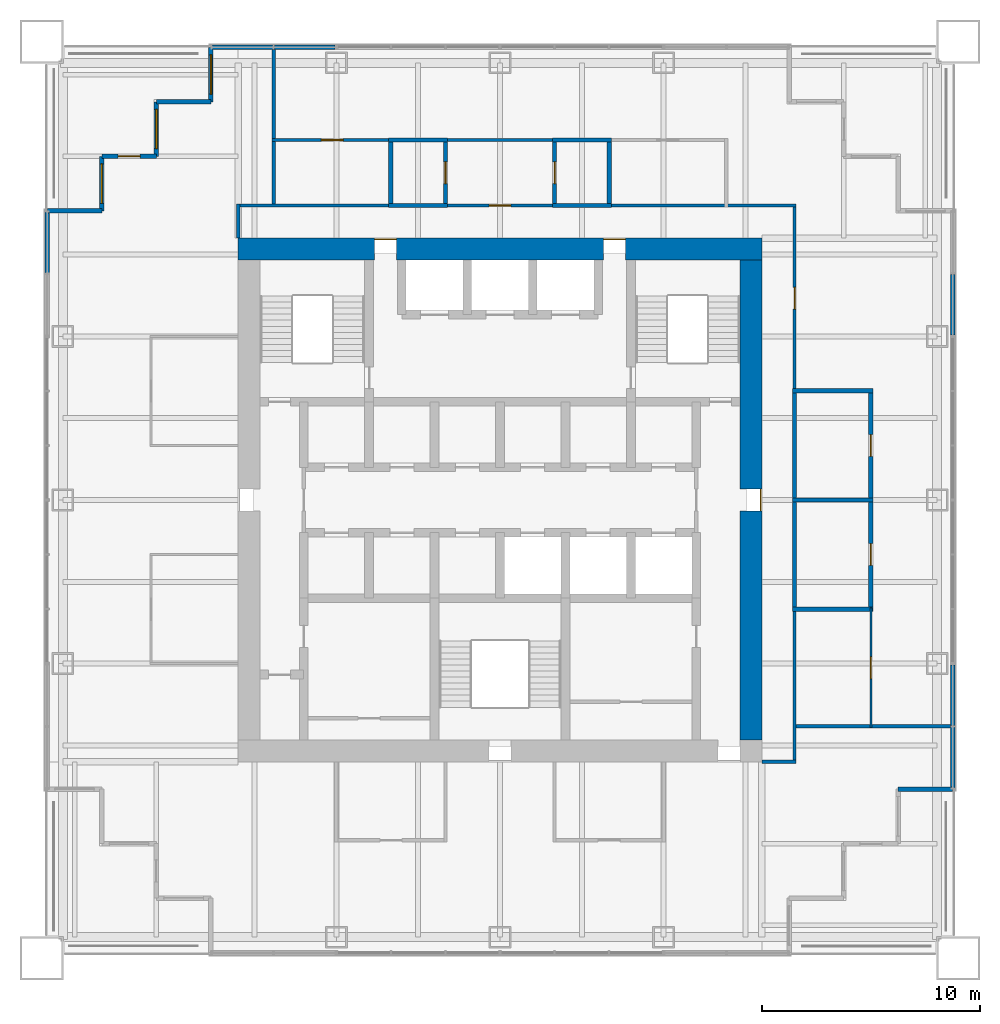
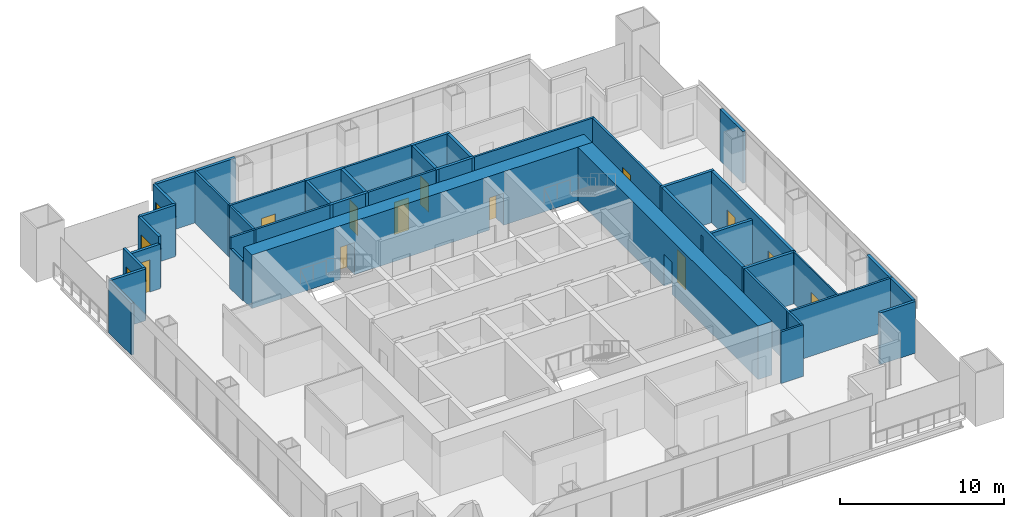
# One storey, part 11 of 14: 40 walls, 12 doors, 3 windows, 15 openings.
"""IFC4 building model written with IfcOpenShell, lengths in metres."""

from ifc_helpers import new_model, si_unit, direction, frame, frame_2d, origin, place, context, subcontext, project, spatial, rectangle, extrude, material, layer, layer_set, type_object, element, fill, save


model = new_model("IFC4")

# Units and contexts
model_context = context("Model", 3, precision=1e-05, world=origin(), true_north=direction((0.0, 1.0)))
body_context = subcontext(model_context, "Body", "Model", "MODEL_VIEW")
ifc_project = project(units=[si_unit("LENGTHUNIT", "METRE"), si_unit("AREAUNIT", "SQUARE_METRE"), si_unit("VOLUMEUNIT", "CUBIC_METRE"), si_unit("PLANEANGLEUNIT", "RADIAN"), si_unit("MASSUNIT", "GRAM", prefix="KILO")], contexts=[model_context])

# Site, building, storey
site_placement = place(None, origin())
site = spatial("IfcSite", under=ifc_project, at=site_placement, CompositionType="ELEMENT")
building_placement = place(site_placement, origin())
building = spatial("IfcBuilding", under=site, at=building_placement, Name="Tarangal Relay Tower", CompositionType="ELEMENT")
storey_placement = place(building_placement, frame((0.0, 0.0, 323.89990234375)))
storey = spatial("IfcBuildingStorey", under=building, at=storey_placement, Name="L72", CompositionType="ELEMENT", Elevation=323.89990234375)

# Walls
ifc_material_1 = material(Name="Two layers gypsum board each side on twin steel studs, mineral wool", Category="steel")
ifc_layer_1 = layer(ifc_material_1, 0.199951171875)
ifc_layer_set_1 = layer_set([ifc_layer_1], Name="Acoustic partition 200")
wall_type_1 = type_object("IfcWallType", Name="Acoustic partition 200", PredefinedType="PARTITIONING", material=ifc_layer_set_1)
wall_1_placement = place(storey_placement, frame((13.39990234375, -5.0, 0.0), z_axis=(0.0, 0.0, 1.0), x_axis=(1.0, 0.0, 0.0)))
element("IfcWall", 1, at=wall_1_placement, inside=storey, type_object=wall_type_1, Name="Partition PT2 L72", PredefinedType="PARTITIONING", context=body_context, shape_type="SweptSolid", body=[
    extrude(rectangle(XDim=3.7001953125, YDim=0.199951171875, at=frame_2d((1.85009765625, 0.0))), origin(), (0.0, 0.0, 1.0), 3.85009765625),
])
wall_2_placement = place(storey_placement, frame((13.39990234375, 0.0, 0.0), z_axis=(0.0, 0.0, 1.0), x_axis=(1.0, 0.0, 0.0)))
element("IfcWall", 2, at=wall_2_placement, inside=storey, type_object=wall_type_1, Name="Partition PT2 L72", PredefinedType="PARTITIONING", context=body_context, shape_type="SweptSolid", body=[
    extrude(rectangle(XDim=3.7001953125, YDim=0.199951171875, at=frame_2d((1.85009765625, 0.0))), origin(), (0.0, 0.0, 1.0), 3.2431640625),
])
wall_3_placement = place(storey_placement, frame((13.39990234375, 5.0, 0.0), z_axis=(0.0, 0.0, 1.0), x_axis=(1.0, 0.0, 0.0)))
element("IfcWall", 3, at=wall_3_placement, inside=storey, type_object=wall_type_1, Name="Partition PT2 L72", PredefinedType="PARTITIONING", context=body_context, shape_type="SweptSolid", body=[
    extrude(rectangle(XDim=3.7001953125, YDim=0.199951171875, at=frame_2d((1.85009765625, 0.0))), origin(), (0.0, 0.0, 1.0), 3.85009765625),
])
for number, where, z_axis, x_axis, name in (
    (4, (-5.10009765625, 13.5, 0.0), (0.0, 0.0, 1.0), (1.0, 0.0, 0.0), "Partition PT2 L72"),
    (5, (2.39990234375, 13.5, 0.0), (0.0, 0.0, 1.0), (1.0, 0.0, 0.0), "Partition PT2 L72"),
    (6, (-5.10009765625, 16.5, 0.0), (0.0, 0.0, 1.0), (1.0, 0.0, 0.0), "Partition PT2 L72"),
    (7, (2.39990234375, 16.5, 0.0), (0.0, 0.0, 1.0), (1.0, 0.0, 0.0), "Partition PT2 L72"),
):
    element("IfcWall", number, at=place(storey_placement, frame(where, z_axis=z_axis, x_axis=x_axis)), inside=storey, type_object=wall_type_1, Name=name, PredefinedType="PARTITIONING", context=body_context, shape_type="SweptSolid", body=[
        extrude(rectangle(XDim=2.7001953125, YDim=0.199951171875, at=frame_2d((1.35009765625, 0.0))), origin(), (0.0, 0.0, 1.0), 3.85009765625),
    ])
wall_4_placement = place(storey_placement, frame((-5.0, 13.39990234375, 0.0), z_axis=(0.0, 0.0, 1.0), x_axis=(0.0, 1.0, 0.0)))
element("IfcWall", 8, at=wall_4_placement, inside=storey, type_object=wall_type_1, Name="Partition PT2 L72", PredefinedType="PARTITIONING", context=body_context, shape_type="SweptSolid", body=[
    extrude(rectangle(XDim=3.2001953125, YDim=0.199951171875, at=frame_2d((1.60009765625, 0.0))), origin(), (0.0, 0.0, 1.0), 3.85009765625),
])

# Wall, opening, door
wall_5_placement = place(storey_placement, frame((-2.5, 13.39990234375, 0.0), z_axis=(0.0, 0.0, 1.0), x_axis=(0.0, 1.0, 0.0)))
wall_5 = element("IfcWall", 9, at=wall_5_placement, inside=storey, type_object=wall_type_1, Name="Partition PT2 L72", PredefinedType="PARTITIONING", context=body_context, shape_type="SweptSolid", body=[
    extrude(rectangle(XDim=3.2001953125, YDim=0.199951171875, at=frame_2d((1.60009765625, 0.0))), origin(), (0.0, 0.0, 1.0), 3.85009765625),
])
opening_1_placement = place(wall_5_placement, frame((1.10009765625, 0.0, 0.0)))
opening_1 = element("IfcOpeningElement", 10, at=opening_1_placement, cuts=wall_5, Name="Opening D2", PredefinedType="OPENING", context=body_context, shape_type="SweptSolid", body=[
    extrude(rectangle(XDim=1.0, YDim=2.10009765625, at=frame_2d((0.5, 1.050048828125))), frame((0.0, 0.10986328125, 0.0), z_axis=(0.0, -1.0, 0.0), x_axis=(1.0, 0.0, 0.0)), (0.0, 0.0, 1.0), 0.219970703125),
])
ifc_material_2 = material(Name="Hardwood door", Category="wood")
door_type_1 = type_object("IfcDoorType", Name="Door 1000 x 2100", OperationType="SINGLE_SWING_LEFT", PredefinedType="DOOR", material=ifc_material_2)
door_1_placement = place(opening_1_placement, origin())
door_1 = element("IfcDoor", 11, at=door_1_placement, inside=storey, type_object=door_type_1, Name="Door D2 to phone room L72-03", OperationType="SINGLE_SWING_LEFT", OverallHeight=2.10009765625, OverallWidth=1.0, PredefinedType="DOOR", context=body_context, shape_type="SweptSolid", body=[
    extrude(rectangle(XDim=1.0, YDim=2.10009765625, at=frame_2d((0.5, 1.050048828125))), frame((0.0, 0.02490234375, 0.0), z_axis=(0.0, -1.0, 0.0), x_axis=(1.0, 0.0, 0.0)), (0.0, 0.0, 1.0), 0.050048828125),
])
fill(opening_1, door_1)

wall_6_placement = place(storey_placement, frame((2.5, 13.39990234375, 0.0), z_axis=(0.0, 0.0, 1.0), x_axis=(0.0, 1.0, 0.0)))
wall_6 = element("IfcWall", 12, at=wall_6_placement, inside=storey, type_object=wall_type_1, Name="Partition PT2 L72", PredefinedType="PARTITIONING", context=body_context, shape_type="SweptSolid", body=[
    extrude(rectangle(XDim=3.2001953125, YDim=0.199951171875, at=frame_2d((1.60009765625, 0.0))), origin(), (0.0, 0.0, 1.0), 3.85009765625),
])
opening_2_placement = place(wall_6_placement, frame((1.10009765625, 0.0, 0.0)))
opening_2 = element("IfcOpeningElement", 13, at=opening_2_placement, cuts=wall_6, Name="Opening D2", PredefinedType="OPENING", context=body_context, shape_type="SweptSolid", body=[
    extrude(rectangle(XDim=1.0, YDim=2.10009765625, at=frame_2d((0.5, 1.050048828125))), frame((0.0, 0.10986328125, 0.0), z_axis=(0.0, -1.0, 0.0), x_axis=(1.0, 0.0, 0.0)), (0.0, 0.0, 1.0), 0.219970703125),
])
door_2_placement = place(opening_2_placement, origin())
door_2 = element("IfcDoor", 14, at=door_2_placement, inside=storey, type_object=door_type_1, Name="Door D2 to phone room L72-05", OperationType="SINGLE_SWING_LEFT", OverallHeight=2.10009765625, OverallWidth=1.0, PredefinedType="DOOR", context=body_context, shape_type="SweptSolid", body=[
    extrude(rectangle(XDim=1.0, YDim=2.10009765625, at=frame_2d((0.5, 1.050048828125))), frame((0.0, 0.02490234375, 0.0), z_axis=(0.0, -1.0, 0.0), x_axis=(1.0, 0.0, 0.0)), (0.0, 0.0, 1.0), 0.050048828125),
])
fill(opening_2, door_2)

# Walls
wall_7_placement = place(storey_placement, frame((5.0, 13.39990234375, 0.0), z_axis=(0.0, 0.0, 1.0), x_axis=(0.0, 1.0, 0.0)))
element("IfcWall", 15, at=wall_7_placement, inside=storey, type_object=wall_type_1, Name="Partition PT2 L72", PredefinedType="PARTITIONING", context=body_context, shape_type="SweptSolid", body=[
    extrude(rectangle(XDim=3.2001953125, YDim=0.199951171875, at=frame_2d((1.60009765625, 0.0))), origin(), (0.0, 0.0, 1.0), 3.85009765625),
])
wall_8_placement = place(storey_placement, frame((13.5, -5.10009765625, 0.0), z_axis=(0.0, 0.0, 1.0), x_axis=(0.0, 1.0, 0.0)))
element("IfcWall", 16, at=wall_8_placement, inside=storey, type_object=wall_type_1, Name="Partition PT2 L72", PredefinedType="PARTITIONING", context=body_context, shape_type="SweptSolid", body=[
    extrude(rectangle(XDim=10.2001953125, YDim=0.199951171875, at=frame_2d((5.10009765625, 0.0))), origin(), (0.0, 0.0, 1.0), 3.85009765625),
])

# Wall, openings, doors
wall_9_placement = place(storey_placement, frame((17.0, -5.10009765625, 0.0), z_axis=(0.0, 0.0, 1.0), x_axis=(0.0, 1.0, 0.0)))
wall_9 = element("IfcWall", 17, at=wall_9_placement, inside=storey, type_object=wall_type_1, Name="Partition PT2 L72", PredefinedType="PARTITIONING", context=body_context, shape_type="SweptSolid", body=[
    extrude(rectangle(XDim=10.2001953125, YDim=0.199951171875, at=frame_2d((5.10009765625, 0.0))), origin(), (0.0, 0.0, 1.0), 3.85009765625),
])
opening_3_placement = place(wall_9_placement, frame((7.10009765625, 0.0, 0.0)))
opening_3 = element("IfcOpeningElement", 18, at=opening_3_placement, cuts=wall_9, Name="Opening D2", PredefinedType="OPENING", context=body_context, shape_type="SweptSolid", body=[
    extrude(rectangle(XDim=1.0, YDim=2.10009765625, at=frame_2d((0.5, 1.050048828125))), frame((0.0, 0.10986328125, 0.0), z_axis=(0.0, -1.0, 0.0), x_axis=(1.0, 0.0, 0.0)), (0.0, 0.0, 1.0), 0.219970703125),
])
opening_4_placement = place(wall_9_placement, frame((2.10009765625, 0.0, 0.0)))
opening_4 = element("IfcOpeningElement", 19, at=opening_4_placement, cuts=wall_9, Name="Opening D2", PredefinedType="OPENING", context=body_context, shape_type="SweptSolid", body=[
    extrude(rectangle(XDim=1.0, YDim=2.10009765625, at=frame_2d((0.5, 1.050048828125))), frame((0.0, 0.10986328125, 0.0), z_axis=(0.0, -1.0, 0.0), x_axis=(1.0, 0.0, 0.0)), (0.0, 0.0, 1.0), 0.219970703125),
])
door_3_placement = place(opening_3_placement, origin())
door_3 = element("IfcDoor", 20, at=door_3_placement, inside=storey, type_object=door_type_1, Name="Door D2 to boardroom L72-07", OperationType="SINGLE_SWING_LEFT", OverallHeight=2.10009765625, OverallWidth=1.0, PredefinedType="DOOR", context=body_context, shape_type="SweptSolid", body=[
    extrude(rectangle(XDim=1.0, YDim=2.10009765625, at=frame_2d((0.5, 1.050048828125))), frame((0.0, 0.02490234375, 0.0), z_axis=(0.0, -1.0, 0.0), x_axis=(1.0, 0.0, 0.0)), (0.0, 0.0, 1.0), 0.050048828125),
])
fill(opening_3, door_3)
door_4_placement = place(opening_4_placement, origin())
door_4 = element("IfcDoor", 21, at=door_4_placement, inside=storey, type_object=door_type_1, Name="Door D2 to meeting room L72-08", OperationType="SINGLE_SWING_LEFT", OverallHeight=2.10009765625, OverallWidth=1.0, PredefinedType="DOOR", context=body_context, shape_type="SweptSolid", body=[
    extrude(rectangle(XDim=1.0, YDim=2.10009765625, at=frame_2d((0.5, 1.050048828125))), frame((0.0, 0.02490234375, 0.0), z_axis=(0.0, -1.0, 0.0), x_axis=(1.0, 0.0, 0.0)), (0.0, 0.0, 1.0), 0.050048828125),
])
fill(opening_4, door_4)

ifc_material_3 = material(Name="Concrete fc' 60 MPa", Category="concrete")
ifc_layer_2 = layer(ifc_material_3, 1.0)
ifc_layer_set_2 = layer_set([ifc_layer_2], Name="Core wall 1000")
wall_type_2 = type_object("IfcWallType", Name="Core wall 1000", PredefinedType="SHEAR", material=ifc_layer_set_2)
wall_10_placement = place(storey_placement, frame((-12.0, 11.5, 0.0), z_axis=(0.0, 0.0, 1.0), x_axis=(1.0, 0.0, 0.0)))
wall_10 = element("IfcWall", 22, at=wall_10_placement, inside=storey, type_object=wall_type_2, Name="Core wall N L72", PredefinedType="SHEAR", context=body_context, shape_type="SweptSolid", body=[
    extrude(rectangle(XDim=24.0, YDim=1.0, at=frame_2d((12.0, 0.0))), origin(), (0.0, 0.0, 1.0), 4.0),
])
opening_5_placement = place(wall_10_placement, frame((6.25, 0.0, 0.0)))
opening_5 = element("IfcOpeningElement", 23, at=opening_5_placement, cuts=wall_10, Name="Opening FD3", PredefinedType="OPENING", context=body_context, shape_type="SweptSolid", body=[
    extrude(rectangle(XDim=1.0, YDim=2.39990234375, at=frame_2d((0.5, 1.199951171875))), frame((0.0, 0.510009765625, 0.0), z_axis=(0.0, -1.0, 0.0), x_axis=(1.0, 0.0, 0.0)), (0.0, 0.0, 1.0), 1.02001953125),
])
opening_6_placement = place(wall_10_placement, frame((16.75, 0.0, 0.0)))
opening_6 = element("IfcOpeningElement", 24, at=opening_6_placement, cuts=wall_10, Name="Opening FD3", PredefinedType="OPENING", context=body_context, shape_type="SweptSolid", body=[
    extrude(rectangle(XDim=1.0, YDim=2.39990234375, at=frame_2d((0.5, 1.199951171875))), frame((0.0, 0.510009765625, 0.0), z_axis=(0.0, -1.0, 0.0), x_axis=(1.0, 0.0, 0.0)), (0.0, 0.0, 1.0), 1.02001953125),
])
ifc_material_4 = material(Name="Steel door with hardwood frame", Category="steel")
door_type_2 = type_object("IfcDoorType", Name="Fire door 1000 x 2400 core entry", OperationType="SINGLE_SWING_RIGHT", PredefinedType="DOOR", material=ifc_material_4)
door_5_placement = place(opening_5_placement, origin())
door_5 = element("IfcDoor", 25, at=door_5_placement, inside=storey, type_object=door_type_2, Name="Core entry door north west L72", OperationType="SINGLE_SWING_RIGHT", OverallHeight=2.39990234375, OverallWidth=1.0, PredefinedType="DOOR", context=body_context, shape_type="SweptSolid", body=[
    extrude(rectangle(XDim=1.0, YDim=2.39990234375, at=frame_2d((0.5, 1.199951171875))), frame((0.0, 0.48486328125, 0.0), z_axis=(0.0, -1.0, 0.0), x_axis=(1.0, 0.0, 0.0)), (0.0, 0.0, 1.0), 0.050048828125),
])
fill(opening_5, door_5)
door_6_placement = place(opening_6_placement, origin())
door_6 = element("IfcDoor", 26, at=door_6_placement, inside=storey, type_object=door_type_2, Name="Core entry door north east L72", OperationType="SINGLE_SWING_RIGHT", OverallHeight=2.39990234375, OverallWidth=1.0, PredefinedType="DOOR", context=body_context, shape_type="SweptSolid", body=[
    extrude(rectangle(XDim=1.0, YDim=2.39990234375, at=frame_2d((0.5, 1.199951171875))), frame((0.0, 0.48486328125, 0.0), z_axis=(0.0, -1.0, 0.0), x_axis=(1.0, 0.0, 0.0)), (0.0, 0.0, 1.0), 0.050048828125),
])
fill(opening_6, door_6)

# Wall, opening, door
wall_11_placement = place(storey_placement, frame((11.5, 11.0, 0.0), z_axis=(0.0, 0.0, 1.0), x_axis=(0.0, -1.0, 0.0)))
wall_11 = element("IfcWall", 27, at=wall_11_placement, inside=storey, type_object=wall_type_2, Name="Core wall E L72", PredefinedType="SHEAR", context=body_context, shape_type="SweptSolid", body=[
    extrude(rectangle(XDim=22.0, YDim=1.0, at=frame_2d((11.0, 0.0))), origin(), (0.0, 0.0, 1.0), 4.0),
])
opening_7_placement = place(wall_11_placement, frame((10.5, 0.0, 0.0)))
opening_7 = element("IfcOpeningElement", 28, at=opening_7_placement, cuts=wall_11, Name="Opening FD3", PredefinedType="OPENING", context=body_context, shape_type="SweptSolid", body=[
    extrude(rectangle(XDim=1.0, YDim=2.39990234375, at=frame_2d((0.5, 1.199951171875))), frame((0.0, 0.510009765625, 0.0), z_axis=(0.0, -1.0, 0.0), x_axis=(1.0, 0.0, 0.0)), (0.0, 0.0, 1.0), 1.02001953125),
])
door_7_placement = place(opening_7_placement, origin())
door_7 = element("IfcDoor", 29, at=door_7_placement, inside=storey, type_object=door_type_2, Name="Core entry door east L72", OperationType="SINGLE_SWING_RIGHT", OverallHeight=2.39990234375, OverallWidth=1.0, PredefinedType="DOOR", context=body_context, shape_type="SweptSolid", body=[
    extrude(rectangle(XDim=1.0, YDim=2.39990234375, at=frame_2d((0.5, 1.199951171875))), frame((0.0, 0.48486328125, 0.0), z_axis=(0.0, -1.0, 0.0), x_axis=(1.0, 0.0, 0.0)), (0.0, 0.0, 1.0), 0.050048828125),
])
fill(opening_7, door_7)

# Walls
ifc_material_5 = material(Name="Black metal clad insulated wall", Category="steel")
ifc_layer_3 = layer(ifc_material_5, 0.199951171875)
ifc_layer_set_3 = layer_set([ifc_layer_3], Name="Corner wall metal clad 200")
wall_type_3 = type_object("IfcWallType", Name="Corner wall metal clad 200", PredefinedType="SOLIDWALL", material=ifc_layer_set_3)
for number, where, z_axis, x_axis, name in (
    (30, (20.75, -13.25, 0.0), (0.0, 0.0, 1.0), (-1.0, 0.0, 0.0), "Facade wall E facade L72"),
    (31, (-20.75, 13.25, 0.0), (0.0, 0.0, 1.0), (1.0, 0.0, 0.0), "Facade wall W facade L72"),
):
    element("IfcWall", number, at=place(storey_placement, frame(where, z_axis=z_axis, x_axis=x_axis)), inside=storey, type_object=wall_type_3, Name=name, PredefinedType="SOLIDWALL", context=body_context, shape_type="SweptSolid", body=[
        extrude(rectangle(XDim=2.5, YDim=0.199951171875, at=frame_2d((1.25, 0.0))), origin(), (0.0, 0.0, 1.0), 3.85009765625),
    ])

# Wall, opening, window
wall_12_placement = place(storey_placement, frame((-18.25, 13.25, 0.0), z_axis=(0.0, 0.0, 1.0), x_axis=(0.0, 1.0, 0.0)))
wall_12 = element("IfcWall", 32, at=wall_12_placement, inside=storey, type_object=wall_type_3, Name="Facade wall W facade L72", PredefinedType="SOLIDWALL", context=body_context, shape_type="SweptSolid", body=[
    extrude(rectangle(XDim=2.5, YDim=0.199951171875, at=frame_2d((1.25, 0.0))), origin(), (0.0, 0.0, 1.0), 3.85009765625),
])
opening_8_placement = place(wall_12_placement, frame((0.35009765625, 0.0, 0.300048828125)))
opening_8 = element("IfcOpeningElement", 33, at=opening_8_placement, cuts=wall_12, Name="Opening WN2", PredefinedType="OPENING", context=body_context, shape_type="SweptSolid", body=[
    extrude(rectangle(XDim=1.800048828125, YDim=2.39990234375, at=frame_2d((0.89990234375, 1.199951171875))), frame((0.0, 0.10986328125, 0.0), z_axis=(0.0, -1.0, 0.0), x_axis=(1.0, 0.0, 0.0)), (0.0, 0.0, 1.0), 0.219970703125),
])
ifc_material_6 = material(Name="Dark tinted double glazing in black aluminium frame", Category="aluminium")
window_type = type_object("IfcWindowType", Name="Corner window 1800 x 2400", PartitioningType="SINGLE_PANEL", PredefinedType="WINDOW", material=ifc_material_6)
window_1_placement = place(opening_8_placement, origin())
window_1 = element("IfcWindow", 34, at=window_1_placement, inside=storey, type_object=window_type, Name="Corner window WN2 W facade L72", OverallHeight=2.39990234375, OverallWidth=1.800048828125, PartitioningType="SINGLE_PANEL", PredefinedType="WINDOW", context=body_context, shape_type="SweptSolid", body=[
    extrude(rectangle(XDim=1.800048828125, YDim=2.39990234375, at=frame_2d((0.89990234375, 1.199951171875))), frame((0.0, 0.030029296875, 0.0), z_axis=(0.0, -1.0, 0.0), x_axis=(1.0, 0.0, 0.0)), (0.0, 0.0, 1.0), 0.06005859375),
])
fill(opening_8, window_1)

# Wall, opening, door
wall_13_placement = place(storey_placement, frame((-18.25, 15.75, 0.0), z_axis=(0.0, 0.0, 1.0), x_axis=(1.0, 0.0, 0.0)))
wall_13 = element("IfcWall", 35, at=wall_13_placement, inside=storey, type_object=wall_type_3, Name="Facade wall W facade L72", PredefinedType="SOLIDWALL", context=body_context, shape_type="SweptSolid", body=[
    extrude(rectangle(XDim=2.5, YDim=0.199951171875, at=frame_2d((1.25, 0.0))), origin(), (0.0, 0.0, 1.0), 3.316650390625),
])
opening_9_placement = place(wall_13_placement, frame((0.75, 0.0, 0.0)))
opening_9 = element("IfcOpeningElement", 36, at=opening_9_placement, cuts=wall_13, Name="Opening TD1", PredefinedType="OPENING", context=body_context, shape_type="SweptSolid", body=[
    extrude(rectangle(XDim=1.0, YDim=2.39990234375, at=frame_2d((0.5, 1.199951171875))), frame((0.0, 0.10986328125, 0.0), z_axis=(0.0, -1.0, 0.0), x_axis=(1.0, 0.0, 0.0)), (0.0, 0.0, 1.0), 0.219970703125),
])
ifc_material_7 = material(Name="Aluminium glazed door", Category="aluminium")
door_type_3 = type_object("IfcDoorType", Name="Terrace door 1000 x 2400", OperationType="SINGLE_SWING_RIGHT", PredefinedType="DOOR", material=ifc_material_7)
door_8_placement = place(opening_9_placement, origin())
door_8 = element("IfcDoor", 37, at=door_8_placement, inside=storey, type_object=door_type_3, Name="Terrace door TD1 NW L72", OperationType="SINGLE_SWING_RIGHT", OverallHeight=2.39990234375, OverallWidth=1.0, PredefinedType="DOOR", context=body_context, shape_type="SweptSolid", body=[
    extrude(rectangle(XDim=1.0, YDim=2.39990234375, at=frame_2d((0.5, 1.199951171875))), frame((0.0, 0.02490234375, 0.0), z_axis=(0.0, -1.0, 0.0), x_axis=(1.0, 0.0, 0.0)), (0.0, 0.0, 1.0), 0.050048828125),
])
fill(opening_9, door_8)

# Wall, opening, window
wall_14_placement = place(storey_placement, frame((-15.75, 15.75, 0.0), z_axis=(0.0, 0.0, 1.0), x_axis=(0.0, 1.0, 0.0)))
wall_14 = element("IfcWall", 38, at=wall_14_placement, inside=storey, type_object=wall_type_3, Name="Facade wall W facade L72", PredefinedType="SOLIDWALL", context=body_context, shape_type="SweptSolid", body=[
    extrude(rectangle(XDim=2.5, YDim=0.199951171875, at=frame_2d((1.25, 0.0))), origin(), (0.0, 0.0, 1.0), 3.85009765625),
])
opening_10_placement = place(wall_14_placement, frame((0.35009765625, 0.0, 0.300048828125)))
opening_10 = element("IfcOpeningElement", 39, at=opening_10_placement, cuts=wall_14, Name="Opening WN2", PredefinedType="OPENING", context=body_context, shape_type="SweptSolid", body=[
    extrude(rectangle(XDim=1.800048828125, YDim=2.39990234375, at=frame_2d((0.89990234375, 1.199951171875))), frame((0.0, 0.10986328125, 0.0), z_axis=(0.0, -1.0, 0.0), x_axis=(1.0, 0.0, 0.0)), (0.0, 0.0, 1.0), 0.219970703125),
])
window_2_placement = place(opening_10_placement, origin())
window_2 = element("IfcWindow", 40, at=window_2_placement, inside=storey, type_object=window_type, Name="Corner window WN2 W facade L72", OverallHeight=2.39990234375, OverallWidth=1.800048828125, PartitioningType="SINGLE_PANEL", PredefinedType="WINDOW", context=body_context, shape_type="SweptSolid", body=[
    extrude(rectangle(XDim=1.800048828125, YDim=2.39990234375, at=frame_2d((0.89990234375, 1.199951171875))), frame((0.0, 0.030029296875, 0.0), z_axis=(0.0, -1.0, 0.0), x_axis=(1.0, 0.0, 0.0)), (0.0, 0.0, 1.0), 0.06005859375),
])
fill(opening_10, window_2)

# Wall
wall_15_placement = place(storey_placement, frame((-15.75, 18.25, 0.0), z_axis=(0.0, 0.0, 1.0), x_axis=(1.0, 0.0, 0.0)))
element("IfcWall", 41, at=wall_15_placement, inside=storey, type_object=wall_type_3, Name="Facade wall W facade L72", PredefinedType="SOLIDWALL", context=body_context, shape_type="SweptSolid", body=[
    extrude(rectangle(XDim=2.5, YDim=0.199951171875, at=frame_2d((1.25, 0.0))), origin(), (0.0, 0.0, 1.0), 3.85009765625),
])

# Wall, opening, window
wall_16_placement = place(storey_placement, frame((-13.25, 18.25, 0.0), z_axis=(0.0, 0.0, 1.0), x_axis=(0.0, 1.0, 0.0)))
wall_16 = element("IfcWall", 42, at=wall_16_placement, inside=storey, type_object=wall_type_3, Name="Facade wall W facade L72", PredefinedType="SOLIDWALL", context=body_context, shape_type="SweptSolid", body=[
    extrude(rectangle(XDim=2.5, YDim=0.199951171875, at=frame_2d((1.25, 0.0))), origin(), (0.0, 0.0, 1.0), 3.85009765625),
])
opening_11_placement = place(wall_16_placement, frame((0.35009765625, 0.0, 0.300048828125)))
opening_11 = element("IfcOpeningElement", 43, at=opening_11_placement, cuts=wall_16, Name="Opening WN2", PredefinedType="OPENING", context=body_context, shape_type="SweptSolid", body=[
    extrude(rectangle(XDim=1.800048828125, YDim=2.39990234375, at=frame_2d((0.89990234375, 1.199951171875))), frame((0.0, 0.10986328125, 0.0), z_axis=(0.0, -1.0, 0.0), x_axis=(1.0, 0.0, 0.0)), (0.0, 0.0, 1.0), 0.219970703125),
])
window_3_placement = place(opening_11_placement, origin())
window_3 = element("IfcWindow", 44, at=window_3_placement, inside=storey, type_object=window_type, Name="Corner window WN2 W facade L72", OverallHeight=2.39990234375, OverallWidth=1.800048828125, PartitioningType="SINGLE_PANEL", PredefinedType="WINDOW", context=body_context, shape_type="SweptSolid", body=[
    extrude(rectangle(XDim=1.800048828125, YDim=2.39990234375, at=frame_2d((0.89990234375, 1.199951171875))), frame((0.0, 0.030029296875, 0.0), z_axis=(0.0, -1.0, 0.0), x_axis=(1.0, 0.0, 0.0)), (0.0, 0.0, 1.0), 0.06005859375),
])
fill(opening_11, window_3)

# Walls
ifc_layer_4 = layer(ifc_material_5, 0.199951171875)
ifc_layer_set_4 = layer_set([ifc_layer_4], Name="Facade infill wall metal clad 200")
wall_type_4 = type_object("IfcWallType", Name="Facade infill wall metal clad 200", PredefinedType="SOLIDWALL", material=ifc_layer_set_4)
for number, where, z_axis, x_axis, name in (
    (45, (-13.18994140625, 20.75, 0.0), (0.0, 0.0, 1.0), (1.0, 0.0, 0.0), "Facade infill wall N facade L72 1.1"),
    (46, (-10.344970703125, 20.75, 0.0), (0.0, 0.0, 1.0), (1.0, 0.0, 0.0), "Facade infill wall N facade L72 2.1"),
    (47, (20.75, 10.344970703125, 0.0), (0.0, 0.0, 1.0), (0.0, -1.0, 0.0), "Facade infill wall E facade L72 2.1"),
    (48, (20.75, -7.56005859375, 0.0), (0.0, 0.0, 1.0), (0.0, -1.0, 0.0), "Facade infill wall E facade L72 1.1"),
    (49, (20.75, -10.405029296875, 0.0), (0.0, 0.0, 1.0), (0.0, -1.0, 0.0), "Facade infill wall E facade L72 2.1"),
    (50, (-20.75, 10.405029296875, 0.0), (0.0, 0.0, 1.0), (0.0, 1.0, 0.0), "Facade infill wall W facade L72 2.1"),
):
    element("IfcWall", number, at=place(storey_placement, frame(where, z_axis=z_axis, x_axis=x_axis)), inside=storey, type_object=wall_type_4, Name=name, PredefinedType="SOLIDWALL", context=body_context, shape_type="SweptSolid", body=[
        extrude(rectangle(XDim=2.784912109375, YDim=0.199951171875, at=frame_2d((1.392578125, 0.0))), origin(), (0.0, 0.0, 1.0), 3.85009765625),
    ])

# Wall, opening, door
ifc_material_8 = material(Name="Double glazed aluminium framed partition", Category="aluminium")
ifc_layer_5 = layer(ifc_material_8, 0.10009765625)
ifc_layer_set_5 = layer_set([ifc_layer_5], Name="Glazed partition 100")
wall_type_5 = type_object("IfcWallType", Name="Glazed partition 100", PredefinedType="PARTITIONING", material=ifc_layer_set_5)
wall_17_placement = place(storey_placement, frame((17.0, -10.425048828125, 0.0), z_axis=(0.0, 0.0, 1.0), x_axis=(0.0, 1.0, 0.0)))
wall_17 = element("IfcWall", 51, at=wall_17_placement, inside=storey, type_object=wall_type_5, Name="Partition PT3 L72", PredefinedType="PARTITIONING", context=body_context, shape_type="SweptSolid", body=[
    extrude(rectangle(XDim=5.47509765625, YDim=0.10009765625, at=frame_2d((2.737548828125, 0.0))), origin(), (0.0, 0.0, 1.0), 3.85009765625),
])
opening_12_placement = place(wall_17_placement, frame((2.237548828125, 0.0, 0.0)))
opening_12 = element("IfcOpeningElement", 52, at=opening_12_placement, cuts=wall_17, Name="Opening D3", PredefinedType="OPENING", context=body_context, shape_type="SweptSolid", body=[
    extrude(rectangle(XDim=1.0, YDim=2.10009765625, at=frame_2d((0.5, 1.050048828125))), frame((0.0, 0.06005859375, 0.0), z_axis=(0.0, -1.0, 0.0), x_axis=(1.0, 0.0, 0.0)), (0.0, 0.0, 1.0), 0.1201171875),
])
ifc_material_9 = material(Name="Frameless glass door", Category="glass")
door_type_4 = type_object("IfcDoorType", Name="Glazed door 1000 x 2100", OperationType="SINGLE_SWING_LEFT", PredefinedType="DOOR", material=ifc_material_9)
door_9_placement = place(opening_12_placement, origin())
door_9 = element("IfcDoor", 53, at=door_9_placement, inside=storey, type_object=door_type_4, Name="Door D3 to meeting room L72-09", OperationType="SINGLE_SWING_LEFT", OverallHeight=2.10009765625, OverallWidth=1.0, PredefinedType="DOOR", context=body_context, shape_type="SweptSolid", body=[
    extrude(rectangle(XDim=1.0, YDim=2.10009765625, at=frame_2d((0.5, 1.050048828125))), frame((0.0, 0.02490234375, 0.0), z_axis=(0.0, -1.0, 0.0), x_axis=(1.0, 0.0, 0.0)), (0.0, 0.0, 1.0), 0.050048828125),
])
fill(opening_12, door_9)

# Walls
ifc_material_10 = material(Name="Gypsum board on steel studs", Category="steel")
ifc_layer_6 = layer(ifc_material_10, 0.14990234375)
ifc_layer_set_6 = layer_set([ifc_layer_6], Name="Partition 150")
wall_type_6 = type_object("IfcWallType", Name="Partition 150", PredefinedType="PARTITIONING", material=ifc_layer_set_6)
wall_18_placement = place(storey_placement, frame((12.0, -12.0, 0.0), z_axis=(0.0, 0.0, 1.0), x_axis=(1.0, 0.0, 0.0)))
element("IfcWall", 54, at=wall_18_placement, inside=storey, type_object=wall_type_6, Name="Partition PT1 L72", PredefinedType="PARTITIONING", context=body_context, shape_type="SweptSolid", body=[
    extrude(rectangle(XDim=1.574951171875, YDim=0.14990234375, at=frame_2d((0.78759765625, 0.0))), origin(), (0.0, 0.0, 1.0), 3.85009765625),
])
wall_19_placement = place(storey_placement, frame((13.425048828125, -10.375, 0.0), z_axis=(0.0, 0.0, 1.0), x_axis=(1.0, 0.0, 0.0)))
element("IfcWall", 55, at=wall_19_placement, inside=storey, type_object=wall_type_6, Name="Partition PT1 L72", PredefinedType="PARTITIONING", context=body_context, shape_type="SweptSolid", body=[
    extrude(rectangle(XDim=7.224853515625, YDim=0.14990234375, at=frame_2d((3.6123046875, 0.0))), origin(), (0.0, 0.0, 1.0), 3.85009765625),
])
wall_20_placement = place(storey_placement, frame((-12.074951171875, 13.5, 0.0), z_axis=(0.0, 0.0, 1.0), x_axis=(1.0, 0.0, 0.0)))
element("IfcWall", 56, at=wall_20_placement, inside=storey, type_object=wall_type_6, Name="Partition PT1 L72", PredefinedType="PARTITIONING", context=body_context, shape_type="SweptSolid", body=[
    extrude(rectangle(XDim=7.14990234375, YDim=0.14990234375, at=frame_2d((3.574951171875, 0.0))), origin(), (0.0, 0.0, 1.0), 3.85009765625),
])

# Wall, opening, door
wall_21_placement = place(storey_placement, frame((-2.574951171875, 13.5, 0.0), z_axis=(0.0, 0.0, 1.0), x_axis=(1.0, 0.0, 0.0)))
wall_21 = element("IfcWall", 57, at=wall_21_placement, inside=storey, type_object=wall_type_6, Name="Partition PT1 L72", PredefinedType="PARTITIONING", context=body_context, shape_type="SweptSolid", body=[
    extrude(rectangle(XDim=5.14990234375, YDim=0.14990234375, at=frame_2d((2.574951171875, 0.0))), origin(), (0.0, 0.0, 1.0), 3.85009765625),
])
opening_13_placement = place(wall_21_placement, frame((2.074951171875, 0.0, 0.0)))
opening_13 = element("IfcOpeningElement", 58, at=opening_13_placement, cuts=wall_21, Name="Opening SD1", PredefinedType="OPENING", context=body_context, shape_type="SweptSolid", body=[
    extrude(rectangle(XDim=1.0, YDim=2.39990234375, at=frame_2d((0.5, 1.199951171875))), frame((0.0, 0.0849609375, 0.0), z_axis=(0.0, -1.0, 0.0), x_axis=(1.0, 0.0, 0.0)), (0.0, 0.0, 1.0), 0.169921875),
])
door_type_5 = type_object("IfcDoorType", Name="Suite entrance door 1000 x 2400", OperationType="SINGLE_SWING_RIGHT", PredefinedType="DOOR", material=ifc_material_4)
door_10_placement = place(opening_13_placement, origin())
door_10 = element("IfcDoor", 59, at=door_10_placement, inside=storey, type_object=door_type_5, Name="Door SD1 to reception L72-04", OperationType="SINGLE_SWING_RIGHT", OverallHeight=2.39990234375, OverallWidth=1.0, PredefinedType="DOOR", context=body_context, shape_type="SweptSolid", body=[
    extrude(rectangle(XDim=1.0, YDim=2.39990234375, at=frame_2d((0.5, 1.199951171875))), frame((0.0, 0.02490234375, 0.0), z_axis=(0.0, -1.0, 0.0), x_axis=(1.0, 0.0, 0.0)), (0.0, 0.0, 1.0), 0.050048828125),
])
fill(opening_13, door_10)

# Wall
wall_22_placement = place(storey_placement, frame((4.925048828125, 13.5, 0.0), z_axis=(0.0, 0.0, 1.0), x_axis=(1.0, 0.0, 0.0)))
element("IfcWall", 60, at=wall_22_placement, inside=storey, type_object=wall_type_6, Name="Partition PT1 L72", PredefinedType="PARTITIONING", context=body_context, shape_type="SweptSolid", body=[
    extrude(rectangle(XDim=8.64990234375, YDim=0.14990234375, at=frame_2d((4.324951171875, 0.0))), origin(), (0.0, 0.0, 1.0), 3.85009765625),
])

# Wall, opening, door
wall_23_placement = place(storey_placement, frame((-10.449951171875, 16.5, 0.0), z_axis=(0.0, 0.0, 1.0), x_axis=(1.0, 0.0, 0.0)))
wall_23 = element("IfcWall", 61, at=wall_23_placement, inside=storey, type_object=wall_type_6, Name="Partition PT1 L72", PredefinedType="PARTITIONING", context=body_context, shape_type="SweptSolid", body=[
    extrude(rectangle(XDim=5.52490234375, YDim=0.14990234375, at=frame_2d((2.762451171875, 0.0))), origin(), (0.0, 0.0, 1.0), 3.85009765625),
])
opening_14_placement = place(wall_23_placement, frame((2.262451171875, 0.0, 0.0)))
opening_14 = element("IfcOpeningElement", 62, at=opening_14_placement, cuts=wall_23, Name="Opening D2", PredefinedType="OPENING", context=body_context, shape_type="SweptSolid", body=[
    extrude(rectangle(XDim=1.0, YDim=2.10009765625, at=frame_2d((0.5, 1.050048828125))), frame((0.0, 0.0849609375, 0.0), z_axis=(0.0, -1.0, 0.0), x_axis=(1.0, 0.0, 0.0)), (0.0, 0.0, 1.0), 0.169921875),
])
door_11_placement = place(opening_14_placement, origin())
door_11 = element("IfcDoor", 63, at=door_11_placement, inside=storey, type_object=door_type_1, Name="Door D2 to executive office L72-02", OperationType="SINGLE_SWING_LEFT", OverallHeight=2.10009765625, OverallWidth=1.0, PredefinedType="DOOR", context=body_context, shape_type="SweptSolid", body=[
    extrude(rectangle(XDim=1.0, YDim=2.10009765625, at=frame_2d((0.5, 1.050048828125))), frame((0.0, 0.02490234375, 0.0), z_axis=(0.0, -1.0, 0.0), x_axis=(1.0, 0.0, 0.0)), (0.0, 0.0, 1.0), 0.050048828125),
])
fill(opening_14, door_11)

# Walls
wall_24_placement = place(storey_placement, frame((-2.574951171875, 16.5, 0.0), z_axis=(0.0, 0.0, 1.0), x_axis=(1.0, 0.0, 0.0)))
element("IfcWall", 64, at=wall_24_placement, inside=storey, type_object=wall_type_6, Name="Partition PT1 L72", PredefinedType="PARTITIONING", context=body_context, shape_type="SweptSolid", body=[
    extrude(rectangle(XDim=5.14990234375, YDim=0.14990234375, at=frame_2d((2.574951171875, 0.0))), origin(), (0.0, 0.0, 1.0), 3.85009765625),
])
wall_25_placement = place(storey_placement, frame((-12.0, 12.0, 0.0), z_axis=(0.0, 0.0, 1.0), x_axis=(0.0, 1.0, 0.0)))
element("IfcWall", 65, at=wall_25_placement, inside=storey, type_object=wall_type_6, Name="Partition PT1 L72", PredefinedType="PARTITIONING", context=body_context, shape_type="SweptSolid", body=[
    extrude(rectangle(XDim=1.574951171875, YDim=0.14990234375, at=frame_2d((0.78759765625, 0.0))), origin(), (0.0, 0.0, 1.0), 3.009521484375),
])
wall_26_placement = place(storey_placement, frame((-10.375, 13.425048828125, 0.0), z_axis=(0.0, 0.0, 1.0), x_axis=(0.0, 1.0, 0.0)))
element("IfcWall", 66, at=wall_26_placement, inside=storey, type_object=wall_type_6, Name="Partition PT1 L72", PredefinedType="PARTITIONING", context=body_context, shape_type="SweptSolid", body=[
    extrude(rectangle(XDim=7.224853515625, YDim=0.14990234375, at=frame_2d((3.6123046875, 0.0))), origin(), (0.0, 0.0, 1.0), 3.85009765625),
])
wall_27_placement = place(storey_placement, frame((13.5, -12.074951171875, 0.0), z_axis=(0.0, 0.0, 1.0), x_axis=(0.0, 1.0, 0.0)))
element("IfcWall", 67, at=wall_27_placement, inside=storey, type_object=wall_type_6, Name="Partition PT1 L72", PredefinedType="PARTITIONING", context=body_context, shape_type="SweptSolid", body=[
    extrude(rectangle(XDim=7.14990234375, YDim=0.14990234375, at=frame_2d((3.574951171875, 0.0))), origin(), (0.0, 0.0, 1.0), 3.85009765625),
])

# Wall, opening, door
wall_28_placement = place(storey_placement, frame((13.5, 4.925048828125, 0.0), z_axis=(0.0, 0.0, 1.0), x_axis=(0.0, 1.0, 0.0)))
wall_28 = element("IfcWall", 68, at=wall_28_placement, inside=storey, type_object=wall_type_6, Name="Partition PT1 L72", PredefinedType="PARTITIONING", context=body_context, shape_type="SweptSolid", body=[
    extrude(rectangle(XDim=8.64990234375, YDim=0.14990234375, at=frame_2d((4.324951171875, 0.0))), origin(), (0.0, 0.0, 1.0), 3.85009765625),
])
opening_15_placement = place(wall_28_placement, frame((3.824951171875, 0.0, 0.0)))
opening_15 = element("IfcOpeningElement", 69, at=opening_15_placement, cuts=wall_28, Name="Opening SD1", PredefinedType="OPENING", context=body_context, shape_type="SweptSolid", body=[
    extrude(rectangle(XDim=1.0, YDim=2.39990234375, at=frame_2d((0.5, 1.199951171875))), frame((0.0, 0.0849609375, 0.0), z_axis=(0.0, -1.0, 0.0), x_axis=(1.0, 0.0, 0.0)), (0.0, 0.0, 1.0), 0.169921875),
])
door_12_placement = place(opening_15_placement, origin())
door_12 = element("IfcDoor", 70, at=door_12_placement, inside=storey, type_object=door_type_5, Name="Door SD1 to open plan office L72-14", OperationType="SINGLE_SWING_RIGHT", OverallHeight=2.39990234375, OverallWidth=1.0, PredefinedType="DOOR", context=body_context, shape_type="SweptSolid", body=[
    extrude(rectangle(XDim=1.0, YDim=2.39990234375, at=frame_2d((0.5, 1.199951171875))), frame((0.0, 0.02490234375, 0.0), z_axis=(0.0, -1.0, 0.0), x_axis=(1.0, 0.0, 0.0)), (0.0, 0.0, 1.0), 0.050048828125),
])
fill(opening_15, door_12)

save(model, "model.ifc")
